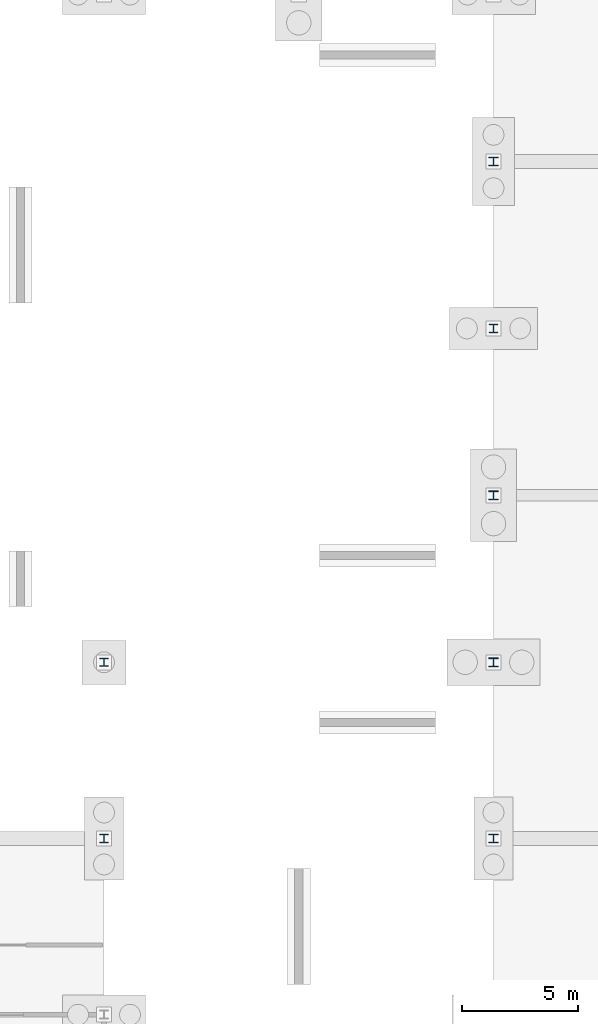
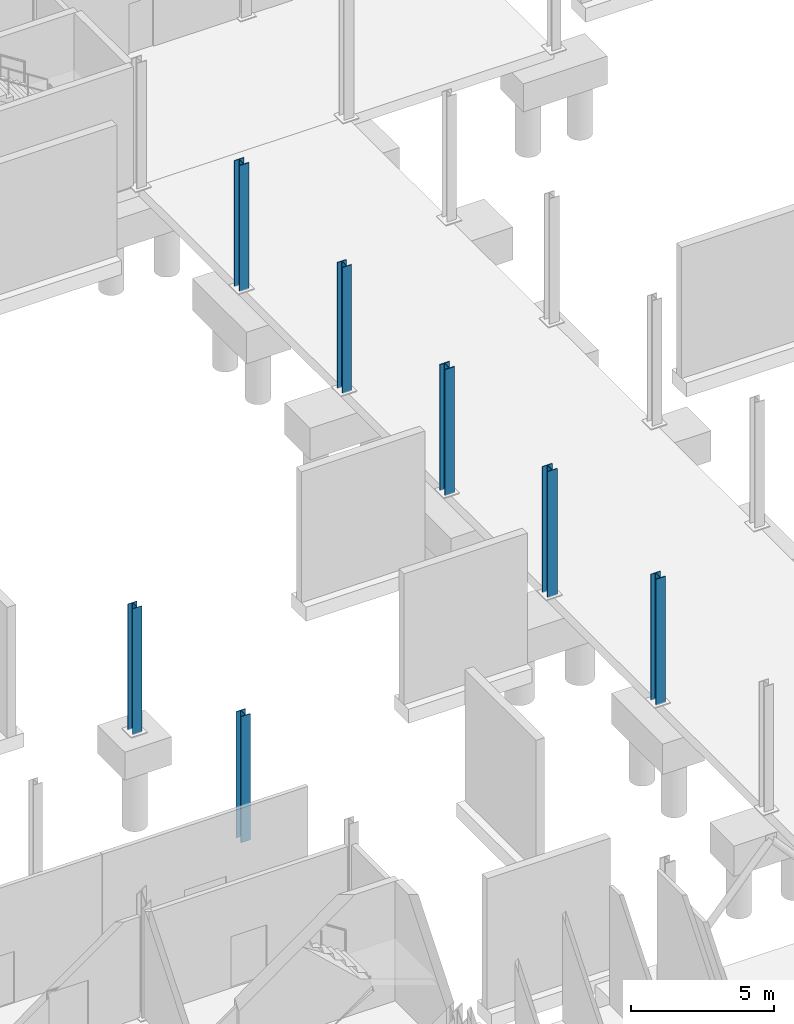
# One storey, part 23 of 61: 7 columns.
"""IFC4 building model written with IfcOpenShell, lengths in metres."""

from ifc_helpers import new_model, si_unit, direction, frame, origin, origin_2d, place, context, subcontext, project, spatial, i_section, extrude, material, material_profile, profile_set, type_object, element, save


model = new_model("IFC4")

# Units and contexts
model_context = context("Model", 3, precision=1e-05, world=origin(), true_north=direction((0.0, 1.0)))
body_context = subcontext(model_context, "Body", "Model", "MODEL_VIEW")
ifc_project = project(units=[si_unit("LENGTHUNIT", "METRE"), si_unit("AREAUNIT", "SQUARE_METRE"), si_unit("VOLUMEUNIT", "CUBIC_METRE"), si_unit("PLANEANGLEUNIT", "RADIAN"), si_unit("MASSUNIT", "GRAM", prefix="KILO")], contexts=[model_context])

# Site, building, storey
site_placement = place(None, origin())
site = spatial("IfcSite", under=ifc_project, at=site_placement, CompositionType="ELEMENT")
building_placement = place(site_placement, origin())
building = spatial("IfcBuilding", under=site, at=building_placement, Name="Calvrana Isthmian Art Gallery", CompositionType="ELEMENT")
storey_placement = place(building_placement, frame((0.0, 0.0, -5.39990234375)))
storey = spatial("IfcBuildingStorey", under=building, at=storey_placement, Name="B1", CompositionType="ELEMENT", Elevation=-5.39990234375)

# Columns
ifc_material = material(Name="Steel ASTM A992 Gr 50", Category="steel")
ifc_material_profile_1 = material_profile(ifc_material, i_section(OverallWidth=0.373046875, OverallDepth=0.373046875, WebThickness=0.016357421875, FlangeThickness=0.026123046875, FilletRadius=0.02490234375, at=origin_2d()), Name="W14X132")
ifc_profile_set_1 = profile_set([ifc_material_profile_1], Name="Steel ASTM A992 Gr 50")
column_type_1 = type_object("IfcColumnType", Name="COL-STL-W14X132", PredefinedType="COLUMN", material=ifc_profile_set_1)
for number, where, z_axis, x_axis, name in (
    (1, (38.39990234375, 62.0, 0.0), (0.0, 0.0, 1.0), (1.0, 0.0, 0.0), "Column 06/I B1"),
    (2, (55.199951171875, 84.0, 0.0), (0.0, 0.0, 1.0), (1.0, 0.0, 0.0), "Column 08/L B1"),
):
    element("IfcColumn", number, at=place(storey_placement, frame(where, z_axis=z_axis, x_axis=x_axis)), inside=storey, type_object=column_type_1, Name=name, PredefinedType="COLUMN", context=body_context, shape_type="SweptSolid", body=[
        extrude(i_section(OverallWidth=0.373046875, OverallDepth=0.373046875, WebThickness=0.016357421875, FlangeThickness=0.026123046875, FilletRadius=0.02490234375, at=origin_2d()), origin(), (0.0, 0.0, 1.0), 5.39990234375),
    ])
ifc_material_profile_2 = material_profile(ifc_material, i_section(OverallWidth=0.39404296875, OverallDepth=0.3759765625, WebThickness=0.017333984375, FlangeThickness=0.027587890625, FilletRadius=0.02490234375, at=origin_2d()), Name="W14X145")
ifc_profile_set_2 = profile_set([ifc_material_profile_2], Name="Steel ASTM A992 Gr 50")
column_type_2 = type_object("IfcColumnType", Name="COL-STL-W14X145", PredefinedType="COLUMN", material=ifc_profile_set_2)
for number, where, z_axis, x_axis, name in (
    (3, (55.199951171875, 62.0, 0.0), (0.0, 0.0, 1.0), (1.0, 0.0, 0.0), "Column 08/I B1"),
    (4, (55.199951171875, 91.199951171875, 0.0), (0.0, 0.0, 1.0), (1.0, 0.0, 0.0), "Column 08/M B1"),
):
    element("IfcColumn", number, at=place(storey_placement, frame(where, z_axis=z_axis, x_axis=x_axis)), inside=storey, type_object=column_type_2, Name=name, PredefinedType="COLUMN", context=body_context, shape_type="SweptSolid", body=[
        extrude(i_section(OverallWidth=0.39404296875, OverallDepth=0.3759765625, WebThickness=0.017333984375, FlangeThickness=0.027587890625, FilletRadius=0.02490234375, at=origin_2d()), origin(), (0.0, 0.0, 1.0), 5.39990234375),
    ])
ifc_material_profile_3 = material_profile(ifc_material, i_section(OverallWidth=0.39599609375, OverallDepth=0.381103515625, WebThickness=0.018798828125, FlangeThickness=0.0302734375, FilletRadius=0.02490234375, at=origin_2d()), Name="W14X159")
ifc_profile_set_3 = profile_set([ifc_material_profile_3], Name="Steel ASTM A992 Gr 50")
column_type_3 = type_object("IfcColumnType", Name="COL-STL-W14X159", PredefinedType="COLUMN", material=ifc_profile_set_3)
column_1_placement = place(storey_placement, frame((55.199951171875, 69.60009765625, 0.0), z_axis=(0.0, 0.0, 1.0), x_axis=(1.0, 0.0, 0.0)))
element("IfcColumn", 5, at=column_1_placement, inside=storey, type_object=column_type_3, Name="Column 08/J B1", PredefinedType="COLUMN", context=body_context, shape_type="SweptSolid", body=[
    extrude(i_section(OverallWidth=0.39599609375, OverallDepth=0.381103515625, WebThickness=0.018798828125, FlangeThickness=0.0302734375, FilletRadius=0.02490234375, at=origin_2d()), origin(), (0.0, 0.0, 1.0), 5.39990234375),
])
ifc_material_profile_4 = material_profile(ifc_material, i_section(OverallWidth=0.39892578125, OverallDepth=0.385986328125, WebThickness=0.02099609375, FlangeThickness=0.033203125, FilletRadius=0.02490234375, at=origin_2d()), Name="W14X176")
ifc_profile_set_4 = profile_set([ifc_material_profile_4], Name="Steel ASTM A992 Gr 50")
column_type_4 = type_object("IfcColumnType", Name="COL-STL-W14X176", PredefinedType="COLUMN", material=ifc_profile_set_4)
column_2_placement = place(storey_placement, frame((55.199951171875, 76.800048828125, 0.0), z_axis=(0.0, 0.0, 1.0), x_axis=(1.0, 0.0, 0.0)))
element("IfcColumn", 6, at=column_2_placement, inside=storey, type_object=column_type_4, Name="Column 08/K B1", PredefinedType="COLUMN", context=body_context, shape_type="SweptSolid", body=[
    extrude(i_section(OverallWidth=0.39892578125, OverallDepth=0.385986328125, WebThickness=0.02099609375, FlangeThickness=0.033203125, FilletRadius=0.02490234375, at=origin_2d()), origin(), (0.0, 0.0, 1.0), 5.39990234375),
])
ifc_material_profile_5 = material_profile(ifc_material, i_section(OverallWidth=0.367919921875, OverallDepth=0.35595703125, WebThickness=0.01123046875, FlangeThickness=0.01806640625, FilletRadius=0.02490234375, at=origin_2d()), Name="W14X90")
ifc_profile_set_5 = profile_set([ifc_material_profile_5], Name="Steel ASTM A992 Gr 50")
column_type_5 = type_object("IfcColumnType", Name="COL-STL-W14X90", PredefinedType="COLUMN", material=ifc_profile_set_5)
column_3_placement = place(storey_placement, frame((38.39990234375, 69.60009765625, 0.0), z_axis=(0.0, 0.0, 1.0), x_axis=(1.0, 0.0, 0.0)))
element("IfcColumn", 7, at=column_3_placement, inside=storey, type_object=column_type_5, Name="Column 06/J B1", PredefinedType="COLUMN", context=body_context, shape_type="SweptSolid", body=[
    extrude(i_section(OverallWidth=0.367919921875, OverallDepth=0.35595703125, WebThickness=0.01123046875, FlangeThickness=0.01806640625, FilletRadius=0.02490234375, at=origin_2d()), origin(), (0.0, 0.0, 1.0), 5.39990234375),
])

save(model, "model.ifc")
